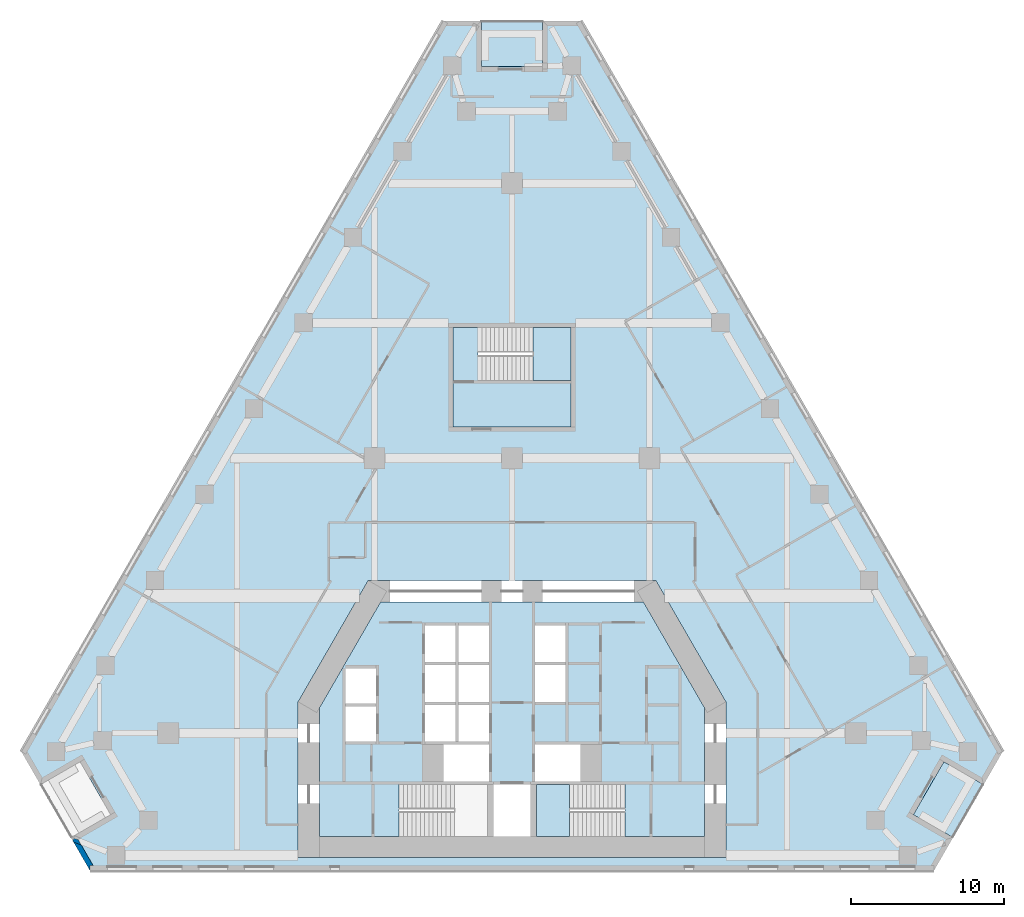
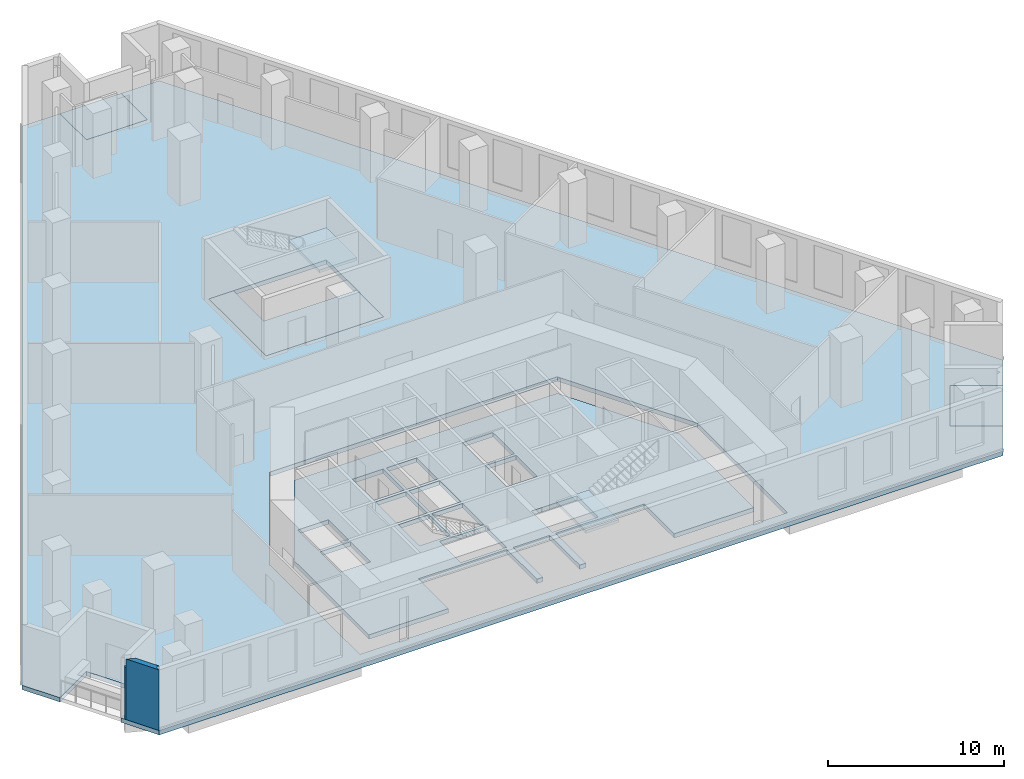
# One storey, part 2 of 10: 7 slabs, 2 walls, 2 elements without a shape of their own.
"""IFC4 building model written with IfcOpenShell, lengths in metres."""

from ifc_helpers import new_model, si_unit, direction, frame, origin, place, context, subcontext, project, spatial, polyline, outline, extrude, material, layer, layer_set, type_object, element, aggregate, save


model = new_model("IFC4")

# Units and contexts
model_context = context("Model", 3, precision=1e-05, world=origin(), true_north=direction((0.0, 1.0)))
body_context = subcontext(model_context, "Body", "Model", "MODEL_VIEW")
ifc_project = project(units=[si_unit("LENGTHUNIT", "METRE"), si_unit("AREAUNIT", "SQUARE_METRE"), si_unit("VOLUMEUNIT", "CUBIC_METRE"), si_unit("PLANEANGLEUNIT", "RADIAN"), si_unit("MASSUNIT", "GRAM", prefix="KILO")], contexts=[model_context])

# Site, building, storey
site_placement = place(None, origin())
site = spatial("IfcSite", under=ifc_project, at=site_placement, CompositionType="ELEMENT")
building_placement = place(site_placement, origin())
building = spatial("IfcBuilding", under=site, at=building_placement, Name="Fogline Exchange Tower", CompositionType="ELEMENT")
storey_placement = place(building_placement, frame((0.0, 0.0, 38.5)))
storey = spatial("IfcBuildingStorey", under=building, at=storey_placement, Name="L07", CompositionType="ELEMENT", Elevation=38.5)

# Slabs
ifc_material_1 = material(Name="Concrete C40", Category="concrete")
ifc_layer_1 = layer(ifc_material_1, 0.25)
ifc_layer_set_1 = layer_set([ifc_layer_1], Name="DK1")
slab_type_1 = type_object("IfcSlabType", Name="DK1", PredefinedType="FLOOR", material=ifc_layer_set_1)
slab_1_placement = place(storey_placement, frame((0.0, 0.0, -0.25)))
element("IfcSlab", 1, at=slab_1_placement, inside=storey, type_object=slab_type_1, Name="Balcony L07 SE", PredefinedType="FLOOR", context=body_context, shape_type="SweptSolid", body=[
    extrude(outline(polyline([(28.877685546875, 2.1650390625), (30.877685546875, 5.629150390625), (28.279541015625, 7.129150390625), (26.279541015625, 3.6650390625), (28.877685546875, 2.1650390625)])), origin(), (0.0, 0.0, 1.0), 0.25),
])
slab_2_placement = place(storey_placement, frame((0.0, 0.0, -0.25)))
element("IfcSlab", 2, at=slab_2_placement, inside=storey, type_object=slab_type_1, Name="Balcony L07 N", PredefinedType="FLOOR", context=body_context, shape_type="SweptSolid", body=[
    extrude(outline(polyline([(2.0, 55.646728515625), (-2.0, 55.646728515625), (-2.0, 52.646728515625), (2.0, 52.646728515625), (2.0, 55.646728515625)])), origin(), (0.0, 0.0, 1.0), 0.25),
])
ifc_layer_2 = layer(ifc_material_1, 0.300048828125)
ifc_layer_set_2 = layer_set([ifc_layer_2], Name="S04")
slab_type_2 = type_object("IfcSlabType", Name="S04", PredefinedType="FLOOR", material=ifc_layer_set_2)
slab_3_placement = place(storey_placement, frame((0.0, 0.0, -0.300048828125)))
element("IfcSlab", 3, at=slab_3_placement, inside=storey, type_object=slab_type_2, Name="SLAB L07", PredefinedType="FLOOR", context=body_context, shape_type="SweptSolid", body=[
    extrude(outline(polyline([(-2.0, 55.646728515625), (-4.5, 55.646728515625), (-32.127685546875, 7.794189453125), (-30.877685546875, 5.629150390625), (-28.279541015625, 7.129150390625), (-26.279541015625, 3.6650390625), (-28.877685546875, 2.1650390625), (-27.627685546875, 0.0), (27.627685546875, 0.0), (28.877685546875, 2.1650390625), (26.279541015625, 3.6650390625), (28.279541015625, 7.129150390625), (30.877685546875, 5.629150390625), (32.127685546875, 7.794189453125), (4.5, 55.646728515625), (2.0, 55.646728515625), (2.0, 52.646728515625), (-2.0, 52.646728515625), (-2.0, 55.646728515625)]), holes=[polyline([(14.0, 11.052490234375), (14.0, 0.85009765625), (-14.0, 0.85009765625), (-14.0, 11.052490234375), (-9.41162109375, 19.0), (9.41162109375, 19.0), (14.0, 11.052490234375)]), polyline([(3.85009765625, 35.556884765625), (3.85009765625, 29.056884765625), (-3.85009765625, 29.056884765625), (-3.85009765625, 35.556884765625), (3.85009765625, 35.556884765625)])]), origin(), (0.0, 0.0, 1.0), 0.300048828125),
])
slab_4_placement = place(storey_placement, frame((0.0, 0.0, -0.300048828125)))
element("IfcSlab", 4, at=slab_4_placement, inside=storey, type_object=slab_type_2, Name="Core floor slab", PredefinedType="FLOOR", context=body_context, shape_type="SweptSolid", body=[
    extrude(outline(polyline([(-12.60009765625, 2.25), (-12.60009765625, 10.677490234375), (-8.603271484375, 17.60009765625), (8.603271484375, 17.60009765625), (12.60009765625, 10.677490234375), (12.60009765625, 2.25), (7.389892578125, 2.25), (7.389892578125, 5.64990234375), (1.60009765625, 5.64990234375), (1.60009765625, 2.25), (1.199951171875, 2.25), (1.199951171875, 5.64990234375), (-1.199951171875, 5.64990234375), (-1.199951171875, 2.25), (-1.60009765625, 2.25), (-1.60009765625, 5.64990234375), (-7.389892578125, 5.64990234375), (-7.389892578125, 2.25), (-12.60009765625, 2.25)]), holes=[polyline([(-1.5, 8.25), (-4.5, 8.25), (-4.5, 5.85009765625), (-1.5, 5.85009765625), (-1.5, 8.25)]), polyline([(-8.89990234375, 10.75), (-10.89990234375, 10.75), (-10.89990234375, 8.449951171875), (-8.89990234375, 8.449951171875), (-8.89990234375, 10.75)]), polyline([(-3.699951171875, 10.85009765625), (-5.699951171875, 10.85009765625), (-5.699951171875, 8.449951171875), (-3.699951171875, 8.449951171875), (-3.699951171875, 10.85009765625)]), polyline([(-1.5, 10.85009765625), (-3.5, 10.85009765625), (-3.5, 8.449951171875), (-1.5, 8.449951171875), (-1.5, 10.85009765625)]), polyline([(-8.89990234375, 13.25), (-10.89990234375, 13.25), (-10.89990234375, 10.949951171875), (-8.89990234375, 10.949951171875), (-8.89990234375, 13.25)]), polyline([(-3.699951171875, 13.449951171875), (-5.699951171875, 13.449951171875), (-5.699951171875, 11.050048828125), (-3.699951171875, 11.050048828125), (-3.699951171875, 13.449951171875)]), polyline([(-3.699951171875, 16.050048828125), (-5.699951171875, 16.050048828125), (-5.699951171875, 13.64990234375), (-3.699951171875, 13.64990234375), (-3.699951171875, 16.050048828125)]), polyline([(4.5, 8.25), (1.5, 8.25), (1.5, 5.85009765625), (4.5, 5.85009765625), (4.5, 8.25)]), polyline([(-1.5, 13.449951171875), (-3.5, 13.449951171875), (-3.5, 11.050048828125), (-1.5, 11.050048828125), (-1.5, 13.449951171875)]), polyline([(3.5, 13.449951171875), (1.5, 13.449951171875), (1.5, 11.050048828125), (3.5, 11.050048828125), (3.5, 13.449951171875)]), polyline([(-1.5, 16.050048828125), (-3.5, 16.050048828125), (-3.5, 13.64990234375), (-1.5, 13.64990234375), (-1.5, 16.050048828125)]), polyline([(3.5, 16.050048828125), (1.5, 16.050048828125), (1.5, 13.64990234375), (3.5, 13.64990234375), (3.5, 16.050048828125)])]), origin(), (0.0, 0.0, 1.0), 0.300048828125),
])
slab_5_placement = place(storey_placement, frame((0.0, 0.0, -0.300048828125)))
element("IfcSlab", 5, at=slab_5_placement, inside=storey, type_object=slab_type_2, Name="Stair enclosure floor slab", PredefinedType="FLOOR", context=body_context, shape_type="SweptSolid", body=[
    extrude(outline(polyline([(3.85009765625, 29.056884765625), (-3.85009765625, 29.056884765625), (-3.85009765625, 35.556884765625), (-2.239990234375, 35.556884765625), (-2.239990234375, 32.10693359375), (3.85009765625, 32.10693359375), (3.85009765625, 29.056884765625)])), origin(), (0.0, 0.0, 1.0), 0.300048828125),
])

# Stair, slab
stair_type = type_object("IfcStairType", Name="STR28-1607", PredefinedType="HALF_TURN_STAIR", material=ifc_material_1)
stair_1_placement = place(storey_placement, origin())
stair_1 = element("IfcStair", 6, at=stair_1_placement, inside=storey, type_object=stair_type, Name="Stair ST2", PredefinedType="HALF_TURN_STAIR")
ifc_layer_3 = layer(ifc_material_1, 0.199951171875)
ifc_layer_set_3 = layer_set([ifc_layer_3], Name="SL200")
slab_type_3 = type_object("IfcSlabType", Name="SL200", PredefinedType="LANDING", material=ifc_layer_set_3)
slab_6_placement = place(storey_placement, frame((0.0, 0.0, 2.050048828125)))
slab_6 = element("IfcSlab", 7, at=slab_6_placement, type_object=slab_type_3, Name="ST2 landing 1", PredefinedType="LANDING", context=body_context, shape_type="SweptSolid", body=[
    extrude(outline(polyline([(1.60009765625, 2.25), (3.760009765625, 2.25), (3.760009765625, 5.64990234375), (1.60009765625, 5.64990234375), (1.60009765625, 2.25)])), origin(), (0.0, 0.0, 1.0), 0.199951171875),
])
aggregate(stair_1, [slab_6])

stair_2_placement = place(storey_placement, origin())
stair_2 = element("IfcStair", 8, at=stair_2_placement, inside=storey, type_object=stair_type, Name="Stair ST3", PredefinedType="HALF_TURN_STAIR")
slab_7_placement = place(storey_placement, frame((0.0, 0.0, 2.050048828125)))
slab_7 = element("IfcSlab", 9, at=slab_7_placement, type_object=slab_type_3, Name="ST3 landing 1", PredefinedType="LANDING", context=body_context, shape_type="SweptSolid", body=[
    extrude(outline(polyline([(1.389892578125, 32.10693359375), (3.85009765625, 32.10693359375), (3.85009765625, 35.556884765625), (1.389892578125, 35.556884765625), (1.389892578125, 32.10693359375)])), origin(), (0.0, 0.0, 1.0), 0.199951171875),
])
aggregate(stair_2, [slab_7])

# Walls
ifc_material_2 = material(Name="Brick masonry", Category="masonry")
ifc_layer_4 = layer(ifc_material_2, 0.340087890625)
ifc_layer_set_4 = layer_set([ifc_layer_4], Name="FW1")
wall_type = type_object("IfcWallType", Name="FW1", PredefinedType="SOLIDWALL", material=ifc_layer_set_4)
wall_1_placement = place(storey_placement, origin())
element("IfcWall", 10, at=wall_1_placement, inside=storey, type_object=wall_type, Name="Brick wall L07 SW-c2", PredefinedType="SOLIDWALL", context=body_context, shape_type="SweptSolid", body=[
    extrude(outline(polyline([(-28.757080078125, 1.955078125), (-28.69384765625, 2.116455078125), (-28.412841796875, 2.041015625), (-28.200927734375, 1.67431640625), (-28.710205078125, 1.8740234375), (-28.757080078125, 1.955078125)])), origin(), (0.0, 0.0, 1.0), 3.60009765625),
])
wall_2_placement = place(storey_placement, origin())
element("IfcWall", 11, at=wall_2_placement, inside=storey, type_object=wall_type, Name="Brick wall L07 SW-c2", PredefinedType="SOLIDWALL", context=body_context, shape_type="SweptSolid", body=[
    extrude(outline(polyline([(-27.626953125, 0.33935546875), (-27.626953125, -0.0009765625), (-27.627685546875, -0.001220703125), (-28.710205078125, 1.8740234375), (-28.200927734375, 1.67431640625), (-27.43017578125, 0.33935546875), (-27.626953125, 0.33935546875)])), origin(), (0.0, 0.0, 1.0), 4.199951171875),
])

save(model, "model.ifc")
